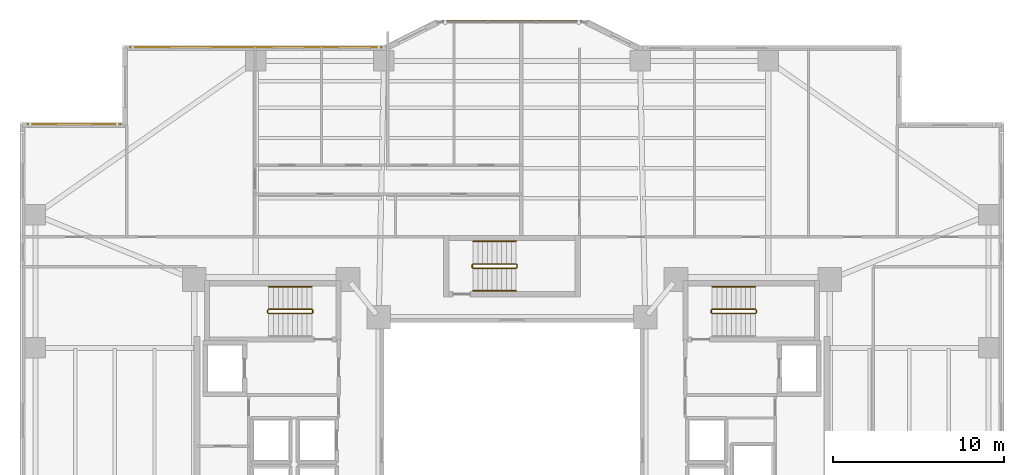
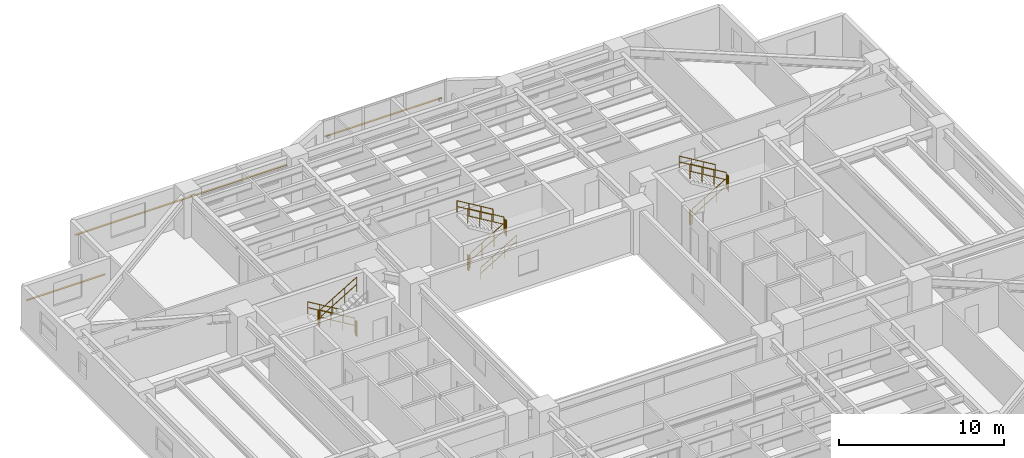
# One storey, part 18 of 19: 16 railings, 3 shading devices.
"""IFC4 building model written with IfcOpenShell, lengths in metres."""

import ifcopenshell
import ifcopenshell.guid

model = None  # the IFC model being written
_history = None  # IfcOwnerHistory: only IFC2X3 demands one
_inside = {}  # id of a spatial element -> (the spatial element, [elements in it])
_under = {}  # id of a project, library or spatial element -> (it, [spatial elements below it])
_declared = {}  # id of a project -> (the project, [libraries it declares])
_typed = {}  # id of a type object -> (the type object, [elements of that type])
_made_of = {}  # id of a material, layer set ... -> (it, [elements and type objects made of it])


def new_model(schema):
    """Start an empty IFC model of exactly this schema.

    Asked for "IFC4X3", IfcOpenShell would pick the latest addendum, in which some entities
    have other attributes; the version numbers below select the first issue.
    IFC2X3 requires an IfcOwnerHistory on every rooted entity: one is made here for all.
    """
    global model, _history
    if schema == "IFC4X3":
        model = ifcopenshell.file(schema_version=(4, 3, 0, 0))
    else:
        model = ifcopenshell.file(schema=schema)
    _inside.clear()
    _under.clear()
    _declared.clear()
    _typed.clear()
    _made_of.clear()
    _history = None
    if model.schema == "IFC2X3":
        org = make("IfcOrganization", Name="unknown")
        user = make(
            "IfcPersonAndOrganization",
            ThePerson=make("IfcPerson", FamilyName="unknown"),
            TheOrganization=org,
        )
        app = make(
            "IfcApplication",
            ApplicationDeveloper=org,
            Version="unknown",
            ApplicationFullName="unknown",
            ApplicationIdentifier="unknown",
        )
        _history = make(
            "IfcOwnerHistory",
            OwningUser=user,
            OwningApplication=app,
            ChangeAction="ADDED",
            CreationDate=0,
        )
    return model


def make(cls, **values):
    """One entity of the class cls with the attributes given. An attribute that is None is left unset."""
    return model.create_entity(
        cls, **{name: value for name, value in values.items() if value is not None}
    )


def rooted(cls, **values):
    """An entity with a GlobalId (a new one), such as an element, a storey or a relation."""
    return make(cls, GlobalId=ifcopenshell.guid.new(), OwnerHistory=_history, **values)


def si_unit(unit_type, name, prefix=None):
    """IfcSIUnit, for example si_unit("LENGTHUNIT", "METRE", prefix="MILLI")."""
    return make("IfcSIUnit", UnitType=unit_type, Prefix=prefix, Name=name)


def assignment(units):
    """IfcUnitAssignment: the units of a project."""
    return None if units is None else make("IfcUnitAssignment", Units=units)


def point(xyz):
    """IfcCartesianPoint."""
    return None if xyz is None else make("IfcCartesianPoint", Coordinates=xyz)


def direction(xyz):
    """IfcDirection."""
    return None if xyz is None else make("IfcDirection", DirectionRatios=xyz)


def frame(location, z_axis=None, x_axis=None):
    """IfcAxis2Placement3D, a coordinate frame: its origin and axes. An axis left out is left unset."""
    return make(
        "IfcAxis2Placement3D",
        Location=point(location),
        Axis=direction(z_axis),
        RefDirection=direction(x_axis),
    )


def frame_2d(location, x_axis=None):
    """IfcAxis2Placement2D, a coordinate frame in the plane: its origin and x axis."""
    return make(
        "IfcAxis2Placement2D", Location=point(location), RefDirection=direction(x_axis)
    )


def origin():
    """The frame at (0, 0, 0) with its axes left unset."""
    return frame((0.0, 0.0, 0.0))


def origin_2d():
    """The frame at (0, 0) in the plane with its x axis left unset."""
    return frame_2d((0.0, 0.0))


def place(relative_to, where):
    """IfcLocalPlacement: puts the frame where relative to a parent placement (None: the world)."""
    return make(
        "IfcLocalPlacement", PlacementRelTo=relative_to, RelativePlacement=where
    )


def context(
    kind, dimensions, precision=None, world=None, true_north=None, identifier=None
):
    """IfcGeometricRepresentationContext, for example the 3D "Model" context."""
    return make(
        "IfcGeometricRepresentationContext",
        ContextIdentifier=identifier,
        ContextType=kind,
        CoordinateSpaceDimension=dimensions,
        Precision=precision,
        WorldCoordinateSystem=world,
        TrueNorth=true_north,
    )


def subcontext(parent, identifier, kind, view, scale=None):
    """IfcGeometricRepresentationSubContext, for example "Body" below "Model"."""
    return make(
        "IfcGeometricRepresentationSubContext",
        ContextIdentifier=identifier,
        ContextType=kind,
        ParentContext=parent,
        TargetScale=scale,
        TargetView=view,
    )


def project(units=None, contexts=None):
    """IfcProject with its units and contexts."""
    return rooted(
        "IfcProject",
        Name="project",
        RepresentationContexts=contexts,
        UnitsInContext=assignment(units),
    )


def spatial(cls, under=None, at=None, **own):
    """A site, building, storey or space (cls), placed at a placement, below another one or the project."""
    s = rooted(cls, ObjectPlacement=at, **own)
    if under is not None:
        _under.setdefault(under.id(), (under, []))[1].append(s)
    return s


def profile(cls, at=None, kind="AREA", **sizes):
    """A parametric profile (cls). Its sizes go by their IFC names, for example OverallWidth=200.0."""
    return make(cls, ProfileType=kind, Position=at, **sizes)


def rectangle(**sizes):
    """IfcRectangleProfileDef."""
    return profile("IfcRectangleProfileDef", **sizes)


def circle(**sizes):
    """IfcCircleProfileDef."""
    return profile("IfcCircleProfileDef", **sizes)


def extrude(swept, where, along, depth):
    """IfcExtrudedAreaSolid: the profile swept, set in the frame where, extruded along a direction by depth."""
    return make(
        "IfcExtrudedAreaSolid",
        SweptArea=swept,
        Position=where,
        ExtrudedDirection=direction(along),
        Depth=depth,
    )


def shape(context_of_items, identifier, shape_type, items):
    """IfcShapeRepresentation: the items that make up one representation, for example the "Body"."""
    return make(
        "IfcShapeRepresentation",
        ContextOfItems=context_of_items,
        RepresentationIdentifier=identifier,
        RepresentationType=shape_type,
        Items=items,
    )


def material(Name=None, Category=None):
    """IfcMaterial."""
    return make("IfcMaterial", Name=Name, Category=Category)


def material_profile(
    of_material, cross_section, Name=None, Category=None, Priority=None
):
    """IfcMaterialProfile: a cross section and its material."""
    return make(
        "IfcMaterialProfile",
        Name=Name,
        Material=of_material,
        Profile=cross_section,
        Priority=Priority,
        Category=Category,
    )


def profile_set(profiles, Name=None, composite=None):
    """IfcMaterialProfileSet."""
    return make(
        "IfcMaterialProfileSet",
        Name=Name,
        MaterialProfiles=profiles,
        CompositeProfile=composite,
    )


def made_of(thing, what):
    """Note that an element or type object is made of a material, layer set ...; save() writes the relation."""
    if what is not None:
        _made_of.setdefault(what.id(), (what, []))[1].append(thing)
    return thing


def type_object(cls, material=None, **own):
    """A type object (cls), such as IfcWallType, which elements share."""
    return made_of(rooted(cls, **own), material)


def element(
    cls,
    number,
    at=None,
    inside=None,
    cuts=None,
    type_object=None,
    material=None,
    context=None,
    identifier="Body",
    shape_type=None,
    held_by="IfcProductDefinitionShape",
    body=None,
    shapes=None,
    **own,
):
    """One element of the class cls, such as IfcWall. Its Tag is "e" and its number.

    at: its placement. inside: the storey or other place that contains it. cuts: it is an
    opening in that element (IfcRelVoidsElement). A single representation is given by context,
    identifier, shape_type and body (its items); several are given by shapes. held_by: the class
    of the entity that holds the representations. save() writes the other relations.
    """
    e = rooted(cls, Tag="e%d" % number, ObjectPlacement=at, **own)
    if body is not None:
        shapes = [shape(context, identifier, shape_type, body)]
    if shapes is not None:
        e.Representation = make(held_by, Representations=shapes)
    if inside is not None:
        _inside.setdefault(inside.id(), (inside, []))[1].append(e)
    if cuts is not None:
        rooted(
            "IfcRelVoidsElement", RelatingBuildingElement=cuts, RelatedOpeningElement=e
        )
    if type_object is not None:
        _typed.setdefault(type_object.id(), (type_object, []))[1].append(e)
    return made_of(e, material)


def aggregate(whole, parts):
    """IfcRelAggregates: a whole, such as a stair, and the parts it consists of."""
    return rooted("IfcRelAggregates", RelatingObject=whole, RelatedObjects=parts)


def save(model, path):
    """Write the relations noted so far, then the file.

    IfcRelAggregates (storeys below a building ...), IfcRelContainedInSpatialStructure (elements
    in a storey), IfcRelDefinesByType, IfcRelAssociatesMaterial and IfcRelDeclares: one each for
    every whole, place, type object, material and project.
    """
    for whole, parts in _under.values():
        aggregate(whole, parts)
    for where, things in _inside.values():
        rooted(
            "IfcRelContainedInSpatialStructure",
            RelatedElements=things,
            RelatingStructure=where,
        )
    for kind, things in _typed.values():
        rooted("IfcRelDefinesByType", RelatedObjects=things, RelatingType=kind)
    for what, things in _made_of.values():
        rooted("IfcRelAssociatesMaterial", RelatedObjects=things, RelatingMaterial=what)
    for by, libraries in _declared.values():
        rooted("IfcRelDeclares", RelatingContext=by, RelatedDefinitions=libraries)
    model.write(path)


model = new_model("IFC4")

# Units and contexts
model_context = context("Model", 3, precision=1e-05, world=origin(), true_north=direction((0.0, 1.0)))
body_context = subcontext(model_context, "Body", "Model", "MODEL_VIEW")
ifc_project = project(units=[si_unit("LENGTHUNIT", "METRE"), si_unit("AREAUNIT", "SQUARE_METRE"), si_unit("VOLUMEUNIT", "CUBIC_METRE"), si_unit("PLANEANGLEUNIT", "RADIAN"), si_unit("MASSUNIT", "GRAM", prefix="KILO")], contexts=[model_context])

# Site, building, storey
site_placement = place(None, origin())
site = spatial("IfcSite", under=ifc_project, at=site_placement, CompositionType="ELEMENT")
building_placement = place(site_placement, origin())
building = spatial("IfcBuilding", under=site, at=building_placement, Name="Tarnavaz Court Tower", CompositionType="ELEMENT")
storey_placement = place(building_placement, frame((0.0, 0.0, 50.800048828125)))
storey = spatial("IfcBuildingStorey", under=building, at=storey_placement, Name="L13", CompositionType="ELEMENT", Elevation=50.800048828125)

# Railings
ifc_material_1 = material(Name="Brushed Stainless Steel", Category="steel")
railing_type_1 = type_object("IfcRailingType", Name="RL-HANDRAIL-900", PredefinedType="HANDRAIL", material=ifc_material_1)
railing_1_placement = place(storey_placement, frame((-11.719970703125, 9.590087890625, 0.16748046875)))
element("IfcRailing", 1, at=railing_1_placement, inside=storey, type_object=railing_type_1, Name="L13 ST-W1 stair handrail 1", PredefinedType="HANDRAIL", context=body_context, shape_type="SweptSolid", body=[
    extrude(circle(Radius=0.02392578125, at=origin_2d()), frame((0.0, 0.0, 0.8759765625), z_axis=(-0.858159760407, 0.0, 0.513382728203), x_axis=(0.0, -1.0, 0.0)), (0.0, 0.0, 1.0), 2.9365234375),
    extrude(circle(Radius=0.02392578125, at=origin_2d()), frame((0.0, 0.0, 0.449951171875), z_axis=(-0.858159760407, 0.0, 0.513382728203), x_axis=(0.0, -1.0, 0.0)), (0.0, 0.0, 1.0), 2.9365234375),
    extrude(circle(Radius=0.02099609375, at=origin_2d()), origin(), (0.0, 0.0, 1.0), 0.851806640625),
    extrude(circle(Radius=0.02099609375, at=origin_2d()), frame((-0.840087890625, 0.0, 0.50244140625)), (0.0, 0.0, 1.0), 0.851806640625),
    extrude(circle(Radius=0.02099609375, at=origin_2d()), frame((-1.679931640625, 0.0, 1.005126953125)), (0.0, 0.0, 1.0), 0.851806640625),
    extrude(circle(Radius=0.02099609375, at=origin_2d()), frame((-2.52001953125, 0.0, 1.507568359375)), (0.0, 0.0, 1.0), 0.851806640625),
])
railing_2_placement = place(storey_placement, frame((14.239990234375, 9.590087890625, 1.842529296875)))
element("IfcRailing", 2, at=railing_2_placement, inside=storey, type_object=railing_type_1, Name="L13 ST-E1 stair handrail 2", PredefinedType="HANDRAIL", context=body_context, shape_type="SweptSolid", body=[
    extrude(circle(Radius=0.02392578125, at=origin_2d()), frame((0.0, 0.0, 0.8759765625), z_axis=(-0.858196387827, 0.0, 0.513321497621), x_axis=(0.0, -1.0, 0.0)), (0.0, 0.0, 1.0), 2.9365234375),
    extrude(circle(Radius=0.02392578125, at=origin_2d()), frame((0.0, 0.0, 0.449951171875), z_axis=(-0.858196387827, 0.0, 0.513321497621), x_axis=(0.0, -1.0, 0.0)), (0.0, 0.0, 1.0), 2.9365234375),
    extrude(circle(Radius=0.02099609375, at=origin_2d()), origin(), (0.0, 0.0, 1.0), 0.851806640625),
    extrude(circle(Radius=0.02099609375, at=origin_2d()), frame((-0.840087890625, 0.0, 0.50244140625)), (0.0, 0.0, 1.0), 0.851806640625),
    extrude(circle(Radius=0.02099609375, at=origin_2d()), frame((-1.679931640625, 0.0, 1.0048828125)), (0.0, 0.0, 1.0), 0.851806640625),
    extrude(circle(Radius=0.02099609375, at=origin_2d()), frame((-2.52001953125, 0.0, 1.50732421875)), (0.0, 0.0, 1.0), 0.851806640625),
])
railing_3_placement = place(storey_placement, frame((-2.280029296875, 9.35009765625, 0.16748046875)))
element("IfcRailing", 3, at=railing_3_placement, inside=storey, type_object=railing_type_1, Name="L13 ST-N1 stair handrail 1", PredefinedType="HANDRAIL", context=body_context, shape_type="SweptSolid", body=[
    extrude(circle(Radius=0.02392578125, at=origin_2d()), frame((0.0, 0.0, 0.8759765625), z_axis=(0.858159760407, 0.0, 0.513382728203), x_axis=(0.0, 1.0, 0.0)), (0.0, 0.0, 1.0), 2.9365234375),
    extrude(circle(Radius=0.02392578125, at=origin_2d()), frame((0.0, 0.0, 0.449951171875), z_axis=(0.858159760407, 0.0, 0.513382728203), x_axis=(0.0, 1.0, 0.0)), (0.0, 0.0, 1.0), 2.9365234375),
    extrude(circle(Radius=0.02099609375, at=origin_2d()), origin(), (0.0, 0.0, 1.0), 0.851806640625),
    extrude(circle(Radius=0.02099609375, at=origin_2d()), frame((0.840087890625, 0.0, 0.50244140625)), (0.0, 0.0, 1.0), 0.851806640625),
    extrude(circle(Radius=0.02099609375, at=origin_2d()), frame((1.679931640625, 0.0, 1.005126953125)), (0.0, 0.0, 1.0), 0.851806640625),
    extrude(circle(Radius=0.02099609375, at=origin_2d()), frame((2.52001953125, 0.0, 1.507568359375)), (0.0, 0.0, 1.0), 0.851806640625),
])
railing_4_placement = place(storey_placement, frame((0.239990234375, 12.239990234375, 1.842529296875)))
element("IfcRailing", 4, at=railing_4_placement, inside=storey, type_object=railing_type_1, Name="L13 ST-N1 stair handrail 2", PredefinedType="HANDRAIL", context=body_context, shape_type="SweptSolid", body=[
    extrude(circle(Radius=0.02392578125, at=origin_2d()), frame((0.0, 0.0, 0.8759765625), z_axis=(-0.858196387827, 0.0, 0.513321497621), x_axis=(0.0, -1.0, 0.0)), (0.0, 0.0, 1.0), 2.9365234375),
    extrude(circle(Radius=0.02392578125, at=origin_2d()), frame((0.0, 0.0, 0.449951171875), z_axis=(-0.858196387827, 0.0, 0.513321497621), x_axis=(0.0, -1.0, 0.0)), (0.0, 0.0, 1.0), 2.9365234375),
    extrude(circle(Radius=0.02099609375, at=origin_2d()), origin(), (0.0, 0.0, 1.0), 0.851806640625),
    extrude(circle(Radius=0.02099609375, at=origin_2d()), frame((-0.840087890625, 0.0, 0.50244140625)), (0.0, 0.0, 1.0), 0.851806640625),
    extrude(circle(Radius=0.02099609375, at=origin_2d()), frame((-1.679931640625, 0.0, 1.0048828125)), (0.0, 0.0, 1.0), 0.851806640625),
    extrude(circle(Radius=0.02099609375, at=origin_2d()), frame((-2.52001953125, 0.0, 1.50732421875)), (0.0, 0.0, 1.0), 0.851806640625),
])
ifc_material_2 = material(Name="Galvanized Painted Tubular Steel", Category="steel")
railing_type_2 = type_object("IfcRailingType", Name="RL-STGUARD-1120", PredefinedType="GUARDRAIL", material=ifc_material_2)
railing_5_placement = place(storey_placement, frame((-11.719970703125, 8.27001953125, 0.16748046875)))
element("IfcRailing", 5, at=railing_5_placement, inside=storey, type_object=railing_type_2, Name="L13 ST-W1 stair guard 1", PredefinedType="GUARDRAIL", context=body_context, shape_type="SweptSolid", body=[
    extrude(circle(Radius=0.02392578125, at=origin_2d()), frame((0.0, 0.0, 1.09619140625), z_axis=(-0.858159760407, 0.0, 0.513382728203), x_axis=(0.0, -1.0, 0.0)), (0.0, 0.0, 1.0), 2.9365234375),
    extrude(circle(Radius=0.02392578125, at=origin_2d()), frame((0.0, 0.0, 0.56005859375), z_axis=(-0.858159760407, 0.0, 0.513382728203), x_axis=(0.0, -1.0, 0.0)), (0.0, 0.0, 1.0), 2.9365234375),
    extrude(circle(Radius=0.02099609375, at=origin_2d()), origin(), (0.0, 0.0, 1.0), 1.072021484375),
    extrude(circle(Radius=0.02099609375, at=origin_2d()), frame((-0.840087890625, 0.0, 0.50244140625)), (0.0, 0.0, 1.0), 1.072021484375),
    extrude(circle(Radius=0.02099609375, at=origin_2d()), frame((-1.679931640625, 0.0, 1.005126953125)), (0.0, 0.0, 1.0), 1.072021484375),
    extrude(circle(Radius=0.02099609375, at=origin_2d()), frame((-2.52001953125, 0.0, 1.507568359375)), (0.0, 0.0, 1.0), 1.072021484375),
])
railing_6_placement = place(storey_placement, frame((-14.2900390625, 8.219970703125, 1.675048828125)))
element("IfcRailing", 6, at=railing_6_placement, inside=storey, type_object=railing_type_2, Name="L13 ST-W1 stair guard 2", PredefinedType="GUARDRAIL", context=body_context, shape_type="SweptSolid", body=[
    extrude(circle(Radius=0.02392578125, at=origin_2d()), frame((0.0, 0.0, 1.09619140625), z_axis=(0.0, -1.0, 0.0), x_axis=(1.0, 0.0, 0.0)), (0.0, 0.0, 1.0), 0.14990234375),
    extrude(circle(Radius=0.02392578125, at=origin_2d()), frame((0.0, 0.0, 0.56005859375), z_axis=(0.0, -1.0, 0.0), x_axis=(1.0, 0.0, 0.0)), (0.0, 0.0, 1.0), 0.14990234375),
    extrude(circle(Radius=0.02099609375, at=origin_2d()), origin(), (0.0, 0.0, 1.0), 1.072021484375),
    extrude(circle(Radius=0.02099609375, at=origin_2d()), frame((0.0, -0.14990234375, 0.0)), (0.0, 0.0, 1.0), 1.072021484375),
])
railing_7_placement = place(storey_placement, frame((-14.239990234375, 8.02001953125, 1.842529296875)))
element("IfcRailing", 7, at=railing_7_placement, inside=storey, type_object=railing_type_2, Name="L13 ST-W1 stair guard 3", PredefinedType="GUARDRAIL", context=body_context, shape_type="SweptSolid", body=[
    extrude(circle(Radius=0.02392578125, at=origin_2d()), frame((0.0, 0.0, 1.09619140625), z_axis=(0.858196387827, 0.0, 0.513321497621), x_axis=(0.0, 1.0, 0.0)), (0.0, 0.0, 1.0), 2.9365234375),
    extrude(circle(Radius=0.02392578125, at=origin_2d()), frame((0.0, 0.0, 0.56005859375), z_axis=(0.858196387827, 0.0, 0.513321497621), x_axis=(0.0, 1.0, 0.0)), (0.0, 0.0, 1.0), 2.9365234375),
    extrude(circle(Radius=0.02099609375, at=origin_2d()), origin(), (0.0, 0.0, 1.0), 1.072021484375),
    extrude(circle(Radius=0.02099609375, at=origin_2d()), frame((0.840087890625, 0.0, 0.50244140625)), (0.0, 0.0, 1.0), 1.072021484375),
    extrude(circle(Radius=0.02099609375, at=origin_2d()), frame((1.679931640625, 0.0, 1.0048828125)), (0.0, 0.0, 1.0), 1.072021484375),
    extrude(circle(Radius=0.02099609375, at=origin_2d()), frame((2.52001953125, 0.0, 1.50732421875)), (0.0, 0.0, 1.0), 1.072021484375),
])
railing_8_placement = place(storey_placement, frame((-11.669921875, 8.219970703125, 0.0)))
element("IfcRailing", 8, at=railing_8_placement, inside=storey, type_object=railing_type_2, Name="L13 ST-W1 stair guard 4", PredefinedType="GUARDRAIL", context=body_context, shape_type="SweptSolid", body=[
    extrude(circle(Radius=0.02392578125, at=origin_2d()), frame((0.0, 0.0, 1.09619140625), z_axis=(0.0, -1.0, 0.0), x_axis=(1.0, 0.0, 0.0)), (0.0, 0.0, 1.0), 0.14990234375),
    extrude(circle(Radius=0.02392578125, at=origin_2d()), frame((0.0, 0.0, 0.56005859375), z_axis=(0.0, -1.0, 0.0), x_axis=(1.0, 0.0, 0.0)), (0.0, 0.0, 1.0), 0.14990234375),
    extrude(circle(Radius=0.02099609375, at=origin_2d()), origin(), (0.0, 0.0, 1.0), 1.072021484375),
    extrude(circle(Radius=0.02099609375, at=origin_2d()), frame((0.0, -0.14990234375, 0.0)), (0.0, 0.0, 1.0), 1.072021484375),
])
railing_9_placement = place(storey_placement, frame((11.719970703125, 8.02001953125, 0.16748046875)))
element("IfcRailing", 9, at=railing_9_placement, inside=storey, type_object=railing_type_2, Name="L13 ST-E1 stair guard 1", PredefinedType="GUARDRAIL", context=body_context, shape_type="SweptSolid", body=[
    extrude(circle(Radius=0.02392578125, at=origin_2d()), frame((0.0, 0.0, 1.09619140625), z_axis=(0.858159760407, 0.0, 0.513382728203), x_axis=(0.0, 1.0, 0.0)), (0.0, 0.0, 1.0), 2.9365234375),
    extrude(circle(Radius=0.02392578125, at=origin_2d()), frame((0.0, 0.0, 0.56005859375), z_axis=(0.858159760407, 0.0, 0.513382728203), x_axis=(0.0, 1.0, 0.0)), (0.0, 0.0, 1.0), 2.9365234375),
    extrude(circle(Radius=0.02099609375, at=origin_2d()), origin(), (0.0, 0.0, 1.0), 1.072021484375),
    extrude(circle(Radius=0.02099609375, at=origin_2d()), frame((0.840087890625, 0.0, 0.50244140625)), (0.0, 0.0, 1.0), 1.072021484375),
    extrude(circle(Radius=0.02099609375, at=origin_2d()), frame((1.679931640625, 0.0, 1.005126953125)), (0.0, 0.0, 1.0), 1.072021484375),
    extrude(circle(Radius=0.02099609375, at=origin_2d()), frame((2.52001953125, 0.0, 1.507568359375)), (0.0, 0.0, 1.0), 1.072021484375),
])
railing_10_placement = place(storey_placement, frame((14.2900390625, 8.070068359375, 1.675048828125)))
element("IfcRailing", 10, at=railing_10_placement, inside=storey, type_object=railing_type_2, Name="L13 ST-E1 stair guard 2", PredefinedType="GUARDRAIL", context=body_context, shape_type="SweptSolid", body=[
    extrude(circle(Radius=0.02392578125, at=origin_2d()), frame((0.0, 0.0, 1.09619140625), z_axis=(0.0, 1.0, 0.0), x_axis=(-1.0, 0.0, 0.0)), (0.0, 0.0, 1.0), 0.14990234375),
    extrude(circle(Radius=0.02392578125, at=origin_2d()), frame((0.0, 0.0, 0.56005859375), z_axis=(0.0, 1.0, 0.0), x_axis=(-1.0, 0.0, 0.0)), (0.0, 0.0, 1.0), 0.14990234375),
    extrude(circle(Radius=0.02099609375, at=origin_2d()), origin(), (0.0, 0.0, 1.0), 1.072021484375),
    extrude(circle(Radius=0.02099609375, at=origin_2d()), frame((0.0, 0.14990234375, 0.0)), (0.0, 0.0, 1.0), 1.072021484375),
])
railing_11_placement = place(storey_placement, frame((14.239990234375, 8.27001953125, 1.842529296875)))
element("IfcRailing", 11, at=railing_11_placement, inside=storey, type_object=railing_type_2, Name="L13 ST-E1 stair guard 3", PredefinedType="GUARDRAIL", context=body_context, shape_type="SweptSolid", body=[
    extrude(circle(Radius=0.02392578125, at=origin_2d()), frame((0.0, 0.0, 1.09619140625), z_axis=(-0.858196387827, 0.0, 0.513321497621), x_axis=(0.0, -1.0, 0.0)), (0.0, 0.0, 1.0), 2.9365234375),
    extrude(circle(Radius=0.02392578125, at=origin_2d()), frame((0.0, 0.0, 0.56005859375), z_axis=(-0.858196387827, 0.0, 0.513321497621), x_axis=(0.0, -1.0, 0.0)), (0.0, 0.0, 1.0), 2.9365234375),
    extrude(circle(Radius=0.02099609375, at=origin_2d()), origin(), (0.0, 0.0, 1.0), 1.072021484375),
    extrude(circle(Radius=0.02099609375, at=origin_2d()), frame((-0.840087890625, 0.0, 0.50244140625)), (0.0, 0.0, 1.0), 1.072021484375),
    extrude(circle(Radius=0.02099609375, at=origin_2d()), frame((-1.679931640625, 0.0, 1.0048828125)), (0.0, 0.0, 1.0), 1.072021484375),
    extrude(circle(Radius=0.02099609375, at=origin_2d()), frame((-2.52001953125, 0.0, 1.50732421875)), (0.0, 0.0, 1.0), 1.072021484375),
])
railing_12_placement = place(storey_placement, frame((11.669921875, 8.070068359375, 0.0)))
element("IfcRailing", 12, at=railing_12_placement, inside=storey, type_object=railing_type_2, Name="L13 ST-E1 stair guard 4", PredefinedType="GUARDRAIL", context=body_context, shape_type="SweptSolid", body=[
    extrude(circle(Radius=0.02392578125, at=origin_2d()), frame((0.0, 0.0, 1.09619140625), z_axis=(0.0, 1.0, 0.0), x_axis=(-1.0, 0.0, 0.0)), (0.0, 0.0, 1.0), 0.14990234375),
    extrude(circle(Radius=0.02392578125, at=origin_2d()), frame((0.0, 0.0, 0.56005859375), z_axis=(0.0, 1.0, 0.0), x_axis=(-1.0, 0.0, 0.0)), (0.0, 0.0, 1.0), 0.14990234375),
    extrude(circle(Radius=0.02099609375, at=origin_2d()), origin(), (0.0, 0.0, 1.0), 1.072021484375),
    extrude(circle(Radius=0.02099609375, at=origin_2d()), frame((0.0, 0.14990234375, 0.0)), (0.0, 0.0, 1.0), 1.072021484375),
])
railing_13_placement = place(storey_placement, frame((-2.280029296875, 10.669921875, 0.16748046875)))
element("IfcRailing", 13, at=railing_13_placement, inside=storey, type_object=railing_type_2, Name="L13 ST-N1 stair guard 1", PredefinedType="GUARDRAIL", context=body_context, shape_type="SweptSolid", body=[
    extrude(circle(Radius=0.02392578125, at=origin_2d()), frame((0.0, 0.0, 1.09619140625), z_axis=(0.858159760407, 0.0, 0.513382728203), x_axis=(0.0, 1.0, 0.0)), (0.0, 0.0, 1.0), 2.9365234375),
    extrude(circle(Radius=0.02392578125, at=origin_2d()), frame((0.0, 0.0, 0.56005859375), z_axis=(0.858159760407, 0.0, 0.513382728203), x_axis=(0.0, 1.0, 0.0)), (0.0, 0.0, 1.0), 2.9365234375),
    extrude(circle(Radius=0.02099609375, at=origin_2d()), origin(), (0.0, 0.0, 1.0), 1.072021484375),
    extrude(circle(Radius=0.02099609375, at=origin_2d()), frame((0.840087890625, 0.0, 0.50244140625)), (0.0, 0.0, 1.0), 1.072021484375),
    extrude(circle(Radius=0.02099609375, at=origin_2d()), frame((1.679931640625, 0.0, 1.005126953125)), (0.0, 0.0, 1.0), 1.072021484375),
    extrude(circle(Radius=0.02099609375, at=origin_2d()), frame((2.52001953125, 0.0, 1.507568359375)), (0.0, 0.0, 1.0), 1.072021484375),
])
railing_14_placement = place(storey_placement, frame((0.2900390625, 10.719970703125, 1.675048828125)))
element("IfcRailing", 14, at=railing_14_placement, inside=storey, type_object=railing_type_2, Name="L13 ST-N1 stair guard 2", PredefinedType="GUARDRAIL", context=body_context, shape_type="SweptSolid", body=[
    extrude(circle(Radius=0.02392578125, at=origin_2d()), frame((0.0, 0.0, 1.09619140625), z_axis=(0.0, 1.0, 0.0), x_axis=(-1.0, 0.0, 0.0)), (0.0, 0.0, 1.0), 0.150146484375),
    extrude(circle(Radius=0.02392578125, at=origin_2d()), frame((0.0, 0.0, 0.56005859375), z_axis=(0.0, 1.0, 0.0), x_axis=(-1.0, 0.0, 0.0)), (0.0, 0.0, 1.0), 0.150146484375),
    extrude(circle(Radius=0.02099609375, at=origin_2d()), origin(), (0.0, 0.0, 1.0), 1.072021484375),
    extrude(circle(Radius=0.02099609375, at=origin_2d()), frame((0.0, 0.150146484375, 0.0)), (0.0, 0.0, 1.0), 1.072021484375),
])
railing_15_placement = place(storey_placement, frame((0.239990234375, 10.919921875, 1.842529296875)))
element("IfcRailing", 15, at=railing_15_placement, inside=storey, type_object=railing_type_2, Name="L13 ST-N1 stair guard 3", PredefinedType="GUARDRAIL", context=body_context, shape_type="SweptSolid", body=[
    extrude(circle(Radius=0.02392578125, at=origin_2d()), frame((0.0, 0.0, 1.09619140625), z_axis=(-0.858196387827, 0.0, 0.513321497621), x_axis=(0.0, -1.0, 0.0)), (0.0, 0.0, 1.0), 2.9365234375),
    extrude(circle(Radius=0.02392578125, at=origin_2d()), frame((0.0, 0.0, 0.56005859375), z_axis=(-0.858196387827, 0.0, 0.513321497621), x_axis=(0.0, -1.0, 0.0)), (0.0, 0.0, 1.0), 2.9365234375),
    extrude(circle(Radius=0.02099609375, at=origin_2d()), origin(), (0.0, 0.0, 1.0), 1.072021484375),
    extrude(circle(Radius=0.02099609375, at=origin_2d()), frame((-0.840087890625, 0.0, 0.50244140625)), (0.0, 0.0, 1.0), 1.072021484375),
    extrude(circle(Radius=0.02099609375, at=origin_2d()), frame((-1.679931640625, 0.0, 1.0048828125)), (0.0, 0.0, 1.0), 1.072021484375),
    extrude(circle(Radius=0.02099609375, at=origin_2d()), frame((-2.52001953125, 0.0, 1.50732421875)), (0.0, 0.0, 1.0), 1.072021484375),
])
railing_16_placement = place(storey_placement, frame((-2.330078125, 10.719970703125, 0.0)))
element("IfcRailing", 16, at=railing_16_placement, inside=storey, type_object=railing_type_2, Name="L13 ST-N1 stair guard 4", PredefinedType="GUARDRAIL", context=body_context, shape_type="SweptSolid", body=[
    extrude(circle(Radius=0.02392578125, at=origin_2d()), frame((0.0, 0.0, 1.09619140625), z_axis=(0.0, 1.0, 0.0), x_axis=(-1.0, 0.0, 0.0)), (0.0, 0.0, 1.0), 0.150146484375),
    extrude(circle(Radius=0.02392578125, at=origin_2d()), frame((0.0, 0.0, 0.56005859375), z_axis=(0.0, 1.0, 0.0), x_axis=(-1.0, 0.0, 0.0)), (0.0, 0.0, 1.0), 0.150146484375),
    extrude(circle(Radius=0.02099609375, at=origin_2d()), origin(), (0.0, 0.0, 1.0), 1.072021484375),
    extrude(circle(Radius=0.02099609375, at=origin_2d()), frame((0.0, 0.150146484375, 0.0)), (0.0, 0.0, 1.0), 1.072021484375),
])

# Shading devices
ifc_material_3 = material(Name="Kiln-Fired Khorasan Terracotta Ceramic", Category="masonry")
ifc_material_profile = material_profile(ifc_material_3, rectangle(XDim=0.1201171875, YDim=0.06005859375, at=origin_2d()), Name="TC BAGUETTE 120X60")
ifc_profile_set = profile_set([ifc_material_profile], Name="Kiln-Fired Khorasan Terracotta Ceramic")
shading_device_type = type_object("IfcShadingDeviceType", Name="SD-BAG-120", PredefinedType="USERDEFINED", material=ifc_profile_set)
shading_device_1_placement = place(storey_placement, frame((-28.39990234375, 19.110107421875, 1.849853515625), z_axis=(1.0, 0.0, 0.0), x_axis=(0.0, 1.0, 0.0)))
element("IfcShadingDevice", 17, at=shading_device_1_placement, inside=storey, type_object=shading_device_type, Name="L13 Terracotta Baguette Screen FBG03", ObjectType="BAGUETTE", PredefinedType="USERDEFINED", context=body_context, shape_type="SweptSolid", body=[
    extrude(rectangle(XDim=0.1201171875, YDim=0.06005859375, at=origin_2d()), origin(), (0.0, 0.0, 1.0), 5.5),
])
shading_device_2_placement = place(storey_placement, frame((-22.39990234375, 23.610107421875, 1.849853515625), z_axis=(1.0, 0.0, 0.0), x_axis=(0.0, 1.0, 0.0)))
element("IfcShadingDevice", 18, at=shading_device_2_placement, inside=storey, type_object=shading_device_type, Name="L13 Terracotta Baguette Screen FBG05", ObjectType="BAGUETTE", PredefinedType="USERDEFINED", context=body_context, shape_type="SweptSolid", body=[
    extrude(rectangle(XDim=0.1201171875, YDim=0.06005859375, at=origin_2d()), origin(), (0.0, 0.0, 1.0), 14.7998046875),
])
shading_device_3_placement = place(storey_placement, frame((-4.10009765625, 25.110107421875, 1.800048828125), z_axis=(1.0, 0.0, 0.0), x_axis=(0.0, 1.0, 0.0)))
element("IfcShadingDevice", 19, at=shading_device_3_placement, inside=storey, type_object=shading_device_type, Name="L13 Terracotta Baguette Screen PBG7", ObjectType="BAGUETTE", PredefinedType="USERDEFINED", context=body_context, shape_type="SweptSolid", body=[
    extrude(rectangle(XDim=0.1201171875, YDim=0.06005859375, at=origin_2d()), origin(), (0.0, 0.0, 1.0), 8.2001953125),
])

save(model, "model.ifc")
